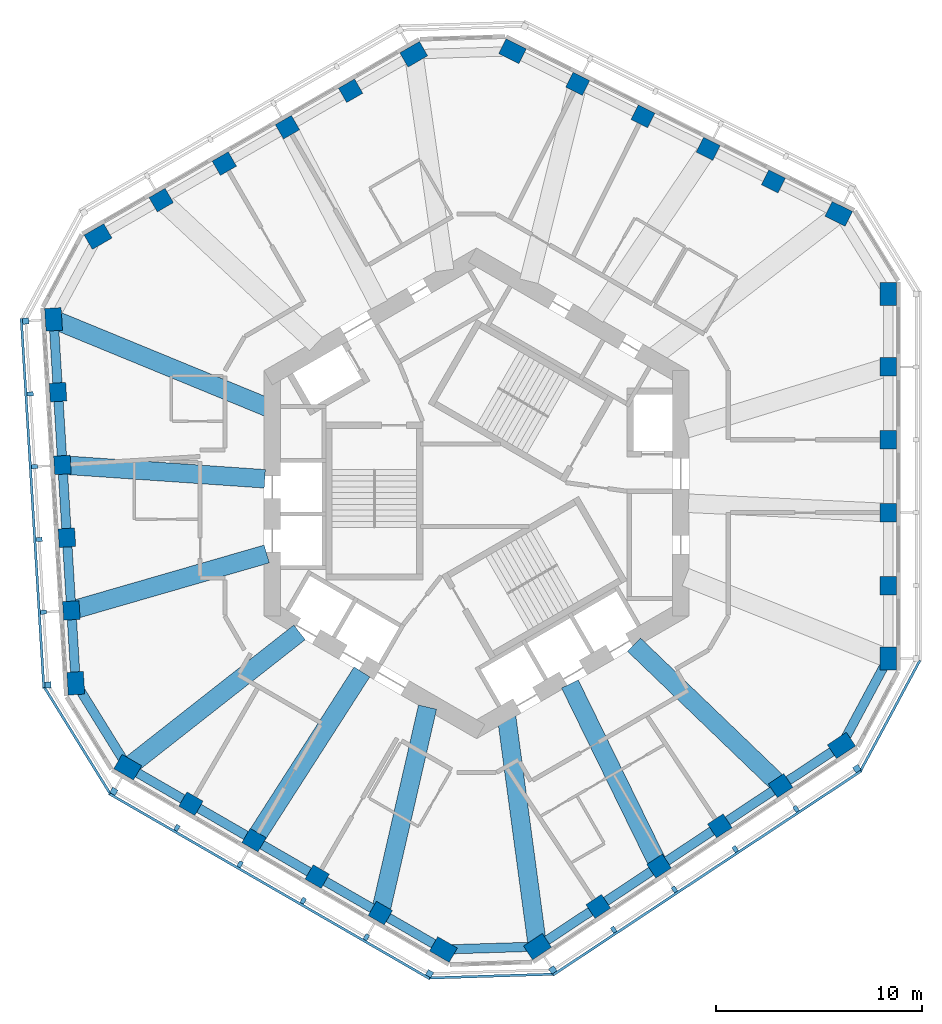
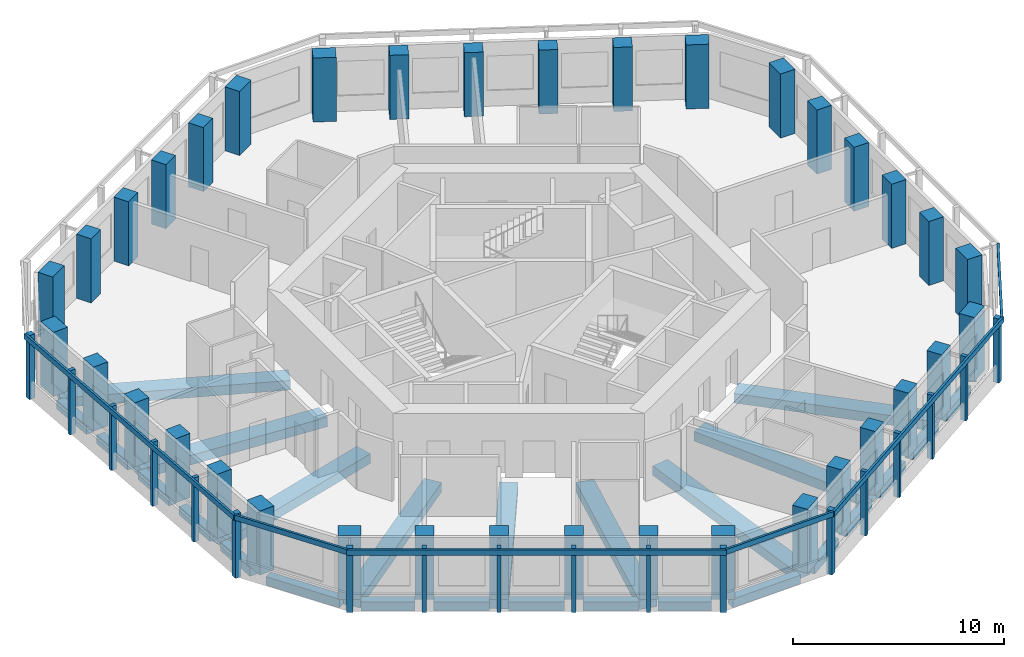
# One storey, part 1 of 11: 36 columns, 27 beams, 24 members, 6 elements without a shape of their own.
"""IFC4 building model written with IfcOpenShell, lengths in metres."""

from ifc_helpers import new_model, si_unit, direction, frame, origin, origin_2d, place, context, subcontext, project, spatial, rectangle, extrude, material, material_profile, profile_set, type_object, element, aggregate, save


model = new_model("IFC4")

# Units and contexts
model_context = context("Model", 3, precision=1e-05, world=origin(), true_north=direction((0.0, 1.0)))
body_context = subcontext(model_context, "Body", "Model", "MODEL_VIEW")
ifc_project = project(units=[si_unit("LENGTHUNIT", "METRE"), si_unit("AREAUNIT", "SQUARE_METRE"), si_unit("VOLUMEUNIT", "CUBIC_METRE"), si_unit("PLANEANGLEUNIT", "RADIAN"), si_unit("MASSUNIT", "GRAM", prefix="KILO")], contexts=[model_context])

# Site, building, storey
site_placement = place(None, origin())
site = spatial("IfcSite", under=ifc_project, at=site_placement, CompositionType="ELEMENT")
building_placement = place(site_placement, origin())
building = spatial("IfcBuilding", under=site, at=building_placement, Name="Vanh Sen Convention Tower", CompositionType="ELEMENT")
storey_placement = place(building_placement, frame((0.0, 0.0, 232.800048828125)))
storey = spatial("IfcBuildingStorey", under=building, at=storey_placement, Name="L57", CompositionType="ELEMENT", Elevation=232.800048828125)

# Columns
ifc_material_1 = material(Name="Concrete C60/75", Category="concrete")
ifc_material_profile_1 = material_profile(ifc_material_1, rectangle(XDim=0.89990234375, YDim=0.800048828125, at=origin_2d()), Name="RC 900X800")
ifc_profile_set_1 = profile_set([ifc_material_profile_1], Name="Concrete C60/75")
column_type_1 = type_object("IfcColumnType", Name="Facade column 900 x 800 C60/75", PredefinedType="COLUMN", material=ifc_profile_set_1)
for number, where, z_axis, x_axis, name in (
    (1, (19.949951171875, -4.46923828125, 0.0), (0.0, 0.0, 1.0), (0.0, 1.0, 0.0), "Facade column 02 L57"),
    (2, (19.949951171875, -0.935546875, 0.0), (0.0, 0.0, 1.0), (0.0, 1.0, 0.0), "Facade column 03 L57"),
    (3, (19.949951171875, 2.59814453125, 0.0), (0.0, 0.0, 1.0), (0.0, 1.0, 0.0), "Facade column 04 L57"),
    (4, (19.949951171875, 6.131591796875, 0.0), (0.0, 0.0, 1.0), (0.0, 1.0, 0.0), "Facade column 05 L57"),
    (5, (14.38916015625, 15.117919921875, 0.0), (0.0, 0.0, 1.0), (-0.894934361602, 0.44619781311, 0.0), "Facade column 08 L57"),
    (6, (11.226806640625, 16.694580078125, 0.0), (0.0, 0.0, 1.0), (-0.894934361602, 0.44619781311, 0.0), "Facade column 09 L57"),
    (7, (8.064453125, 18.271484375, 0.0), (0.0, 0.0, 1.0), (-0.894934361602, 0.44619781311, 0.0), "Facade column 10 L57"),
    (8, (4.902099609375, 19.84814453125, 0.0), (0.0, 0.0, 1.0), (-0.894934361602, 0.44619781311, 0.0), "Facade column 11 L57"),
    (9, (-6.1044921875, 19.51171875, 0.0), (0.0, 0.0, 1.0), (-0.866025403784, -0.5, 0.0), "Facade column 14 L57"),
    (10, (-9.164794921875, 17.7451171875, 0.0), (0.0, 0.0, 1.0), (-0.866025403784, -0.5, 0.0), "Facade column 15 L57"),
    (11, (-12.22509765625, 15.978271484375, 0.0), (0.0, 0.0, 1.0), (-0.866025403784, -0.5, 0.0), "Facade column 16 L57"),
    (12, (-15.28515625, 14.211181640625, 0.0), (0.0, 0.0, 1.0), (-0.866025403784, -0.5, 0.0), "Facade column 17 L57"),
    (13, (-20.287109375, 4.90234375, 0.0), (0.0, 0.0, 1.0), (0.061048539535, -0.998134798422, 0.0), "Facade column 20 L57"),
    (14, (-20.0712890625, 1.375244140625, 0.0), (0.0, 0.0, 1.0), (0.061048539535, -0.998134798422, 0.0), "Facade column 21 L57"),
    (15, (-19.855712890625, -2.151611328125, 0.0), (0.0, 0.0, 1.0), (0.061048539535, -0.998134798422, 0.0), "Facade column 22 L57"),
    (16, (-19.639892578125, -5.6787109375, 0.0), (0.0, 0.0, 1.0), (0.061048539535, -0.998134798422, 0.0), "Facade column 23 L57"),
    (17, (-13.845458984375, -15.04248046875, 0.0), (0.0, 0.0, 1.0), (0.866025403784, -0.5, 0.0), "Facade column 26 L57"),
    (18, (-10.78515625, -16.809326171875, 0.0), (0.0, 0.0, 1.0), (0.866025403784, -0.5, 0.0), "Facade column 27 L57"),
    (19, (-7.72509765625, -18.576416015625, 0.0), (0.0, 0.0, 1.0), (0.866025403784, -0.5, 0.0), "Facade column 28 L57"),
    (20, (-4.664794921875, -20.343017578125, 0.0), (0.0, 0.0, 1.0), (0.866025403784, -0.5, 0.0), "Facade column 29 L57"),
    (21, (5.89794921875, -20.0205078125, 0.0), (0.0, 0.0, 1.0), (0.833885822067, 0.551936985312, 0.0), "Facade column 32 L57"),
    (22, (8.844482421875, -18.070068359375, 0.0), (0.0, 0.0, 1.0), (0.833885822067, 0.551936985312, 0.0), "Facade column 33 L57"),
    (23, (11.791259765625, -16.11962890625, 0.0), (0.0, 0.0, 1.0), (0.833885822067, 0.551936985312, 0.0), "Facade column 34 L57"),
    (24, (14.73779296875, -14.169189453125, 0.0), (0.0, 0.0, 1.0), (0.833885822067, 0.551936985312, 0.0), "Facade column 35 L57"),
):
    element("IfcColumn", number, at=place(storey_placement, frame(where, z_axis=z_axis, x_axis=x_axis)), inside=storey, type_object=column_type_1, Name=name, PredefinedType="COLUMN", context=body_context, shape_type="SweptSolid", body=[
        extrude(rectangle(XDim=0.89990234375, YDim=0.800048828125, at=origin_2d()), origin(), (0.0, 0.0, 1.0), 3.699951171875),
    ])
ifc_material_profile_2 = material_profile(ifc_material_1, rectangle(XDim=1.10009765625, YDim=0.800048828125, at=origin_2d()), Name="RC 1100X800")
ifc_profile_set_2 = profile_set([ifc_material_profile_2], Name="Concrete C60/75")
column_type_2 = type_object("IfcColumnType", Name="Facade corner column 1100 x 800 C60/75", PredefinedType="COLUMN", material=ifc_profile_set_2)
for number, where, z_axis, x_axis, name in (
    (25, (19.949951171875, -8.002685546875, 0.0), (0.0, 0.0, 1.0), (0.0, 1.0, 0.0), "Facade column 01 L57"),
    (26, (19.949951171875, 9.665283203125, 0.0), (0.0, 0.0, 1.0), (0.0, 1.0, 0.0), "Facade column 06 L57"),
    (27, (17.551513671875, 13.541259765625, 0.0), (0.0, 0.0, 1.0), (-0.894934361602, 0.44619781311, 0.0), "Facade column 07 L57"),
    (28, (1.73974609375, 21.4248046875, 0.0), (0.0, 0.0, 1.0), (-0.894934361602, 0.44619781311, 0.0), "Facade column 12 L57"),
    (29, (-3.04443359375, 21.278564453125, 0.0), (0.0, 0.0, 1.0), (-0.866025403784, -0.5, 0.0), "Facade column 13 L57"),
    (30, (-18.345458984375, 12.444580078125, 0.0), (0.0, 0.0, 1.0), (-0.866025403784, -0.5, 0.0), "Facade column 18 L57"),
    (31, (-20.502685546875, 8.429443359375, 0.0), (0.0, 0.0, 1.0), (0.061048539535, -0.998134798422, 0.0), "Facade column 19 L57"),
    (32, (-19.42431640625, -9.205810546875, 0.0), (0.0, 0.0, 1.0), (0.061048539535, -0.998134798422, 0.0), "Facade column 24 L57"),
    (33, (-16.905517578125, -13.27587890625, 0.0), (0.0, 0.0, 1.0), (0.866025403784, -0.5, 0.0), "Facade column 25 L57"),
    (34, (-1.6044921875, -22.10986328125, 0.0), (0.0, 0.0, 1.0), (0.866025403784, -0.5, 0.0), "Facade column 30 L57"),
    (35, (2.951416015625, -21.970703125, 0.0), (0.0, 0.0, 1.0), (0.833885822067, 0.551936985312, 0.0), "Facade column 31 L57"),
    (36, (17.6845703125, -12.218994140625, 0.0), (0.0, 0.0, 1.0), (0.833885822067, 0.551936985312, 0.0), "Facade column 36 L57"),
):
    element("IfcColumn", number, at=place(storey_placement, frame(where, z_axis=z_axis, x_axis=x_axis)), inside=storey, type_object=column_type_2, Name=name, PredefinedType="COLUMN", context=body_context, shape_type="SweptSolid", body=[
        extrude(rectangle(XDim=1.10009765625, YDim=0.800048828125, at=origin_2d()), origin(), (0.0, 0.0, 1.0), 3.699951171875),
    ])

# Curtain wall, members
ifc_material_2 = material(Name="Concrete C50/60", Category="concrete")
curtain_wall_type = type_object("IfcCurtainWallType", Name="Outer skin office zone", PredefinedType="NOTDEFINED", material=ifc_material_2)
curtain_wall_1_placement = place(storey_placement, origin())
curtain_wall_1 = element("IfcCurtainWall", 37, at=curtain_wall_1_placement, inside=storey, type_object=curtain_wall_type, Name="OUTER SKIN W L57", PredefinedType="NOTDEFINED")
ifc_material_profile_3 = material_profile(ifc_material_2, rectangle(XDim=0.300048828125, YDim=0.300048828125, at=origin_2d()), Name="Outer skin precast corner fin 300 x 300")
ifc_profile_set_3 = profile_set([ifc_material_profile_3], Name="Concrete C50/60")
member_type_1 = type_object("IfcMemberType", Name="Outer skin precast corner fin 300 x 300", PredefinedType="MULLION", material=ifc_profile_set_3)
member_1_placement = place(storey_placement, frame((-21.850341796875, 8.346923828125, 0.0), z_axis=(0.0, 0.0, 1.0), x_axis=(0.061048539535, -0.998134798422, 0.0)))
member_1 = element("IfcMember", 38, at=member_1_placement, type_object=member_type_1, Name="OUTER SKIN CORNER FIN 1 W L57", PredefinedType="MULLION", context=body_context, shape_type="SweptSolid", body=[
    extrude(rectangle(XDim=0.300048828125, YDim=0.300048828125, at=origin_2d()), origin(), (0.0, 0.0, 1.0), 3.699951171875),
])
member_2_placement = place(storey_placement, frame((-20.771728515625, -9.2880859375, 0.0), z_axis=(0.0, 0.0, 1.0), x_axis=(0.061048539535, -0.998134798422, 0.0)))
member_2 = element("IfcMember", 39, at=member_2_placement, type_object=member_type_1, Name="OUTER SKIN CORNER FIN 6 W L57", PredefinedType="MULLION", context=body_context, shape_type="SweptSolid", body=[
    extrude(rectangle(XDim=0.300048828125, YDim=0.300048828125, at=origin_2d()), origin(), (0.0, 0.0, 1.0), 3.699951171875),
])

curtain_wall_2_placement = place(storey_placement, origin())
curtain_wall_2 = element("IfcCurtainWall", 40, at=curtain_wall_2_placement, inside=storey, type_object=curtain_wall_type, Name="OUTER SKIN SW L57", PredefinedType="NOTDEFINED")
member_3_placement = place(storey_placement, frame((-17.58056640625, -14.44482421875, 0.0), z_axis=(0.0, 0.0, 1.0), x_axis=(0.866025403784, -0.5, 0.0)))
member_3 = element("IfcMember", 41, at=member_3_placement, type_object=member_type_1, Name="OUTER SKIN CORNER FIN 1 SW L57", PredefinedType="MULLION", context=body_context, shape_type="SweptSolid", body=[
    extrude(rectangle(XDim=0.300048828125, YDim=0.300048828125, at=origin_2d()), origin(), (0.0, 0.0, 1.0), 3.699951171875),
])
member_4_placement = place(storey_placement, frame((-2.279541015625, -23.279052734375, 0.0), z_axis=(0.0, 0.0, 1.0), x_axis=(0.866025403784, -0.5, 0.0)))
member_4 = element("IfcMember", 42, at=member_4_placement, type_object=member_type_1, Name="OUTER SKIN CORNER FIN 6 SW L57", PredefinedType="MULLION", context=body_context, shape_type="SweptSolid", body=[
    extrude(rectangle(XDim=0.300048828125, YDim=0.300048828125, at=origin_2d()), origin(), (0.0, 0.0, 1.0), 3.699951171875),
])

curtain_wall_3_placement = place(storey_placement, origin())
curtain_wall_3 = element("IfcCurtainWall", 43, at=curtain_wall_3_placement, inside=storey, type_object=curtain_wall_type, Name="OUTER SKIN SE L57", PredefinedType="NOTDEFINED")
member_5_placement = place(storey_placement, frame((3.6962890625, -23.096435546875, 0.0), z_axis=(0.0, 0.0, 1.0), x_axis=(0.833885822067, 0.551936985312, 0.0)))
member_5 = element("IfcMember", 44, at=member_5_placement, type_object=member_type_1, Name="OUTER SKIN CORNER FIN 1 SE L57", PredefinedType="MULLION", context=body_context, shape_type="SweptSolid", body=[
    extrude(rectangle(XDim=0.300048828125, YDim=0.300048828125, at=origin_2d()), origin(), (0.0, 0.0, 1.0), 3.699951171875),
])
member_6_placement = place(storey_placement, frame((18.4296875, -13.3447265625, 0.0), z_axis=(0.0, 0.0, 1.0), x_axis=(0.833885822067, 0.551936985312, 0.0)))
member_6 = element("IfcMember", 45, at=member_6_placement, type_object=member_type_1, Name="OUTER SKIN CORNER FIN 6 SE L57", PredefinedType="MULLION", context=body_context, shape_type="SweptSolid", body=[
    extrude(rectangle(XDim=0.300048828125, YDim=0.300048828125, at=origin_2d()), origin(), (0.0, 0.0, 1.0), 3.699951171875),
])

# Member
ifc_material_profile_4 = material_profile(ifc_material_2, rectangle(XDim=0.199951171875, YDim=0.300048828125, at=origin_2d()), Name="Outer skin precast fin 200 x 300")
ifc_profile_set_4 = profile_set([ifc_material_profile_4], Name="Concrete C50/60")
member_type_2 = type_object("IfcMemberType", Name="Outer skin precast fin 200 x 300", PredefinedType="MULLION", material=ifc_profile_set_4)
member_7_placement = place(storey_placement, frame((-21.634521484375, 4.820068359375, 0.0), z_axis=(0.0, 0.0, 1.0), x_axis=(0.061048539535, -0.998134798422, 0.0)))
member_7 = element("IfcMember", 46, at=member_7_placement, type_object=member_type_2, Name="OUTER SKIN fin 2 W L57", PredefinedType="MULLION", context=body_context, shape_type="SweptSolid", body=[
    extrude(rectangle(XDim=0.199951171875, YDim=0.300048828125, at=origin_2d()), origin(), (0.0, 0.0, 1.0), 3.699951171875),
])

member_8_placement = place(storey_placement, frame((-21.4189453125, 1.29296875, 0.0), z_axis=(0.0, 0.0, 1.0), x_axis=(0.061048539535, -0.998134798422, 0.0)))
member_8 = element("IfcMember", 47, at=member_8_placement, type_object=member_type_2, Name="OUTER SKIN fin 3 W L57", PredefinedType="MULLION", context=body_context, shape_type="SweptSolid", body=[
    extrude(rectangle(XDim=0.199951171875, YDim=0.300048828125, at=origin_2d()), origin(), (0.0, 0.0, 1.0), 3.699951171875),
])

member_9_placement = place(storey_placement, frame((-21.203125, -2.234130859375, 0.0), z_axis=(0.0, 0.0, 1.0), x_axis=(0.061048539535, -0.998134798422, 0.0)))
member_9 = element("IfcMember", 48, at=member_9_placement, type_object=member_type_2, Name="OUTER SKIN fin 4 W L57", PredefinedType="MULLION", context=body_context, shape_type="SweptSolid", body=[
    extrude(rectangle(XDim=0.199951171875, YDim=0.300048828125, at=origin_2d()), origin(), (0.0, 0.0, 1.0), 3.699951171875),
])

member_10_placement = place(storey_placement, frame((-20.987548828125, -5.760986328125, 0.0), z_axis=(0.0, 0.0, 1.0), x_axis=(0.061048539535, -0.998134798422, 0.0)))
member_10 = element("IfcMember", 49, at=member_10_placement, type_object=member_type_2, Name="OUTER SKIN fin 5 W L57", PredefinedType="MULLION", context=body_context, shape_type="SweptSolid", body=[
    extrude(rectangle(XDim=0.199951171875, YDim=0.300048828125, at=origin_2d()), origin(), (0.0, 0.0, 1.0), 3.699951171875),
])

member_11_placement = place(storey_placement, frame((-14.5205078125, -16.211669921875, 0.0), z_axis=(0.0, 0.0, 1.0), x_axis=(0.866025403784, -0.5, 0.0)))
member_11 = element("IfcMember", 50, at=member_11_placement, type_object=member_type_2, Name="OUTER SKIN fin 2 SW L57", PredefinedType="MULLION", context=body_context, shape_type="SweptSolid", body=[
    extrude(rectangle(XDim=0.199951171875, YDim=0.300048828125, at=origin_2d()), origin(), (0.0, 0.0, 1.0), 3.699951171875),
])

member_12_placement = place(storey_placement, frame((-11.460205078125, -17.978515625, 0.0), z_axis=(0.0, 0.0, 1.0), x_axis=(0.866025403784, -0.5, 0.0)))
member_12 = element("IfcMember", 51, at=member_12_placement, type_object=member_type_2, Name="OUTER SKIN fin 3 SW L57", PredefinedType="MULLION", context=body_context, shape_type="SweptSolid", body=[
    extrude(rectangle(XDim=0.199951171875, YDim=0.300048828125, at=origin_2d()), origin(), (0.0, 0.0, 1.0), 3.699951171875),
])

member_13_placement = place(storey_placement, frame((-8.39990234375, -19.745361328125, 0.0), z_axis=(0.0, 0.0, 1.0), x_axis=(0.866025403784, -0.5, 0.0)))
member_13 = element("IfcMember", 52, at=member_13_placement, type_object=member_type_2, Name="OUTER SKIN fin 4 SW L57", PredefinedType="MULLION", context=body_context, shape_type="SweptSolid", body=[
    extrude(rectangle(XDim=0.199951171875, YDim=0.300048828125, at=origin_2d()), origin(), (0.0, 0.0, 1.0), 3.699951171875),
])

member_14_placement = place(storey_placement, frame((-5.33984375, -21.51220703125, 0.0), z_axis=(0.0, 0.0, 1.0), x_axis=(0.866025403784, -0.5, 0.0)))
member_14 = element("IfcMember", 53, at=member_14_placement, type_object=member_type_2, Name="OUTER SKIN fin 5 SW L57", PredefinedType="MULLION", context=body_context, shape_type="SweptSolid", body=[
    extrude(rectangle(XDim=0.199951171875, YDim=0.300048828125, at=origin_2d()), origin(), (0.0, 0.0, 1.0), 3.699951171875),
])

member_15_placement = place(storey_placement, frame((6.64306640625, -21.14599609375, 0.0), z_axis=(0.0, 0.0, 1.0), x_axis=(0.833885822067, 0.551936985312, 0.0)))
member_15 = element("IfcMember", 54, at=member_15_placement, type_object=member_type_2, Name="OUTER SKIN fin 2 SE L57", PredefinedType="MULLION", context=body_context, shape_type="SweptSolid", body=[
    extrude(rectangle(XDim=0.199951171875, YDim=0.300048828125, at=origin_2d()), origin(), (0.0, 0.0, 1.0), 3.699951171875),
])

member_16_placement = place(storey_placement, frame((9.589599609375, -19.19580078125, 0.0), z_axis=(0.0, 0.0, 1.0), x_axis=(0.833885822067, 0.551936985312, 0.0)))
member_16 = element("IfcMember", 55, at=member_16_placement, type_object=member_type_2, Name="OUTER SKIN fin 3 SE L57", PredefinedType="MULLION", context=body_context, shape_type="SweptSolid", body=[
    extrude(rectangle(XDim=0.199951171875, YDim=0.300048828125, at=origin_2d()), origin(), (0.0, 0.0, 1.0), 3.699951171875),
])

member_17_placement = place(storey_placement, frame((12.536376953125, -17.245361328125, 0.0), z_axis=(0.0, 0.0, 1.0), x_axis=(0.833885822067, 0.551936985312, 0.0)))
member_17 = element("IfcMember", 56, at=member_17_placement, type_object=member_type_2, Name="OUTER SKIN fin 4 SE L57", PredefinedType="MULLION", context=body_context, shape_type="SweptSolid", body=[
    extrude(rectangle(XDim=0.199951171875, YDim=0.300048828125, at=origin_2d()), origin(), (0.0, 0.0, 1.0), 3.699951171875),
])

member_18_placement = place(storey_placement, frame((15.48291015625, -15.294921875, 0.0), z_axis=(0.0, 0.0, 1.0), x_axis=(0.833885822067, 0.551936985312, 0.0)))
member_18 = element("IfcMember", 57, at=member_18_placement, type_object=member_type_2, Name="OUTER SKIN fin 5 SE L57", PredefinedType="MULLION", context=body_context, shape_type="SweptSolid", body=[
    extrude(rectangle(XDim=0.199951171875, YDim=0.300048828125, at=origin_2d()), origin(), (0.0, 0.0, 1.0), 3.699951171875),
])

ifc_material_profile_5 = material_profile(ifc_material_2, rectangle(XDim=0.1201171875, YDim=0.300048828125, at=origin_2d()), Name="Outer skin precast spandrel band 300 x 120")
ifc_profile_set_5 = profile_set([ifc_material_profile_5], Name="Concrete C50/60")
member_type_3 = type_object("IfcMemberType", Name="Outer skin precast spandrel band 300 x 120", PredefinedType="USERDEFINED", material=ifc_profile_set_5)
member_19_placement = place(storey_placement, frame((-22.069091796875, 8.48388671875, 3.550048828125), z_axis=(0.061048457282, -0.998134803453, 0.0), x_axis=(0.998134803453, 0.061048457282, 0.0)))
member_19 = element("IfcMember", 58, at=member_19_placement, type_object=member_type_3, Name="OUTER SKIN spandrel band W L57", ObjectType="TRANSOM", PredefinedType="USERDEFINED", context=body_context, shape_type="SweptSolid", body=[
    extrude(rectangle(XDim=0.1201171875, YDim=0.300048828125, at=origin_2d()), origin(), (0.0, 0.0, 1.0), 17.968017578125),
])

aggregate(curtain_wall_1, [member_1, member_7, member_8, member_9, member_10, member_2, member_19])

# Curtain wall, member
curtain_wall_4_placement = place(storey_placement, origin())
curtain_wall_4 = element("IfcCurtainWall", 59, at=curtain_wall_4_placement, inside=storey, type_object=curtain_wall_type, Name="OUTER SKIN CH4 L57", PredefinedType="NOTDEFINED")
member_20_placement = place(storey_placement, frame((-20.9501953125, -9.398681640625, 3.550048828125), z_axis=(0.526193830542, -0.850364658661, 0.0), x_axis=(0.850364658661, 0.526193830542, 0.0)))
member_20 = element("IfcMember", 60, at=member_20_placement, type_object=member_type_3, Name="OUTER SKIN spandrel band CH4 L57", ObjectType="TRANSOM", PredefinedType="USERDEFINED", context=body_context, shape_type="SweptSolid", body=[
    extrude(rectangle(XDim=0.1201171875, YDim=0.300048828125, at=origin_2d()), origin(), (0.0, 0.0, 1.0), 6.064208984375),
])
aggregate(curtain_wall_4, [member_20])

# Member
member_21_placement = place(storey_placement, frame((-17.8154296875, -14.5517578125, 3.550048828125), z_axis=(0.866022898019, -0.500004340088, 0.0), x_axis=(0.500004340088, 0.866022898019, 0.0)))
member_21 = element("IfcMember", 61, at=member_21_placement, type_object=member_type_3, Name="OUTER SKIN spandrel band SW L57", ObjectType="TRANSOM", PredefinedType="USERDEFINED", context=body_context, shape_type="SweptSolid", body=[
    extrude(rectangle(XDim=0.1201171875, YDim=0.300048828125, at=origin_2d()), origin(), (0.0, 0.0, 1.0), 17.968017578125),
])

aggregate(curtain_wall_2, [member_3, member_11, member_12, member_13, member_14, member_4, member_21])

# Curtain wall, member
curtain_wall_5_placement = place(storey_placement, origin())
curtain_wall_5 = element("IfcCurtainWall", 62, at=curtain_wall_5_placement, inside=storey, type_object=curtain_wall_type, Name="OUTER SKIN CH5 L57", PredefinedType="NOTDEFINED")
member_22_placement = place(storey_placement, frame((-2.273193359375, -23.489013671875, 3.550048828125), z_axis=(0.99953342946, 0.030543794642, 0.0), x_axis=(-0.030543794642, 0.99953342946, 0.0)))
member_22 = element("IfcMember", 63, at=member_22_placement, type_object=member_type_3, Name="OUTER SKIN spandrel band CH5 L57", ObjectType="TRANSOM", PredefinedType="USERDEFINED", context=body_context, shape_type="SweptSolid", body=[
    extrude(rectangle(XDim=0.1201171875, YDim=0.300048828125, at=origin_2d()), origin(), (0.0, 0.0, 1.0), 5.978759765625),
])
aggregate(curtain_wall_5, [member_22])

# Member
member_23_placement = place(storey_placement, frame((3.687255859375, -23.3544921875, 3.550048828125), z_axis=(0.83388107344, 0.551944159638, 0.0), x_axis=(-0.551944159638, 0.83388107344, 0.0)))
member_23 = element("IfcMember", 64, at=member_23_placement, type_object=member_type_3, Name="OUTER SKIN spandrel band SE L57", ObjectType="TRANSOM", PredefinedType="USERDEFINED", context=body_context, shape_type="SweptSolid", body=[
    extrude(rectangle(XDim=0.1201171875, YDim=0.300048828125, at=origin_2d()), origin(), (0.0, 0.0, 1.0), 17.96826171875),
])

aggregate(curtain_wall_3, [member_5, member_15, member_16, member_17, member_18, member_6, member_23])

# Curtain wall, member
curtain_wall_6_placement = place(storey_placement, origin())
curtain_wall_6 = element("IfcCurtainWall", 65, at=curtain_wall_6_placement, inside=storey, type_object=curtain_wall_type, Name="OUTER SKIN CH6 L57", PredefinedType="NOTDEFINED")
member_24_placement = place(storey_placement, frame((18.61474609375, -13.444091796875, 3.550048828125), z_axis=(0.473333785199, 0.880883152177, 0.0), x_axis=(-0.880883152177, 0.473333785199, 0.0)))
member_24 = element("IfcMember", 66, at=member_24_placement, type_object=member_type_3, Name="OUTER SKIN spandrel band CH6 L57", ObjectType="TRANSOM", PredefinedType="USERDEFINED", context=body_context, shape_type="SweptSolid", body=[
    extrude(rectangle(XDim=0.1201171875, YDim=0.300048828125, at=origin_2d()), origin(), (0.0, 0.0, 1.0), 6.064208984375),
])
aggregate(curtain_wall_6, [member_24])

# Beams
ifc_material_3 = material(Name="Concrete C50/60", Category="concrete")
ifc_material_profile_6 = material_profile(ifc_material_3, rectangle(XDim=0.89990234375, YDim=0.550048828125, at=origin_2d()), Name="RC 900X550")
ifc_profile_set_6 = profile_set([ifc_material_profile_6], Name="Concrete C50/60")
beam_type_1 = type_object("IfcBeamType", Name="Radial floor beam 900 x 550", PredefinedType="BEAM", material=ifc_profile_set_6)
beam_1_placement = place(storey_placement, frame((-20.298095703125, 8.34521484375, -0.554931640625), z_axis=(0.924881589255, -0.380255237778, 0.0), x_axis=(0.380255237778, 0.924881589255, 0.0)))
element("IfcBeam", 67, at=beam_1_placement, inside=storey, type_object=beam_type_1, Name="Radial beam 10 L57", PredefinedType="BEAM", context=body_context, shape_type="SweptSolid", body=[
    extrude(rectangle(XDim=0.89990234375, YDim=0.550048828125, at=origin_2d()), origin(), (0.0, 0.0, 1.0), 11.000244140625),
])
beam_2_placement = place(storey_placement, frame((-20.04736328125, 1.373779296875, -0.554931640625), z_axis=(0.997660286065, -0.068366319264, 0.0), x_axis=(0.068366319264, 0.997660286065, 0.0)))
element("IfcBeam", 68, at=beam_2_placement, inside=storey, type_object=beam_type_1, Name="Radial beam 11 L57", PredefinedType="BEAM", context=body_context, shape_type="SweptSolid", body=[
    extrude(rectangle(XDim=0.89990234375, YDim=0.550048828125, at=origin_2d()), origin(), (0.0, 0.0, 1.0), 9.80615234375),
])
beam_3_placement = place(storey_placement, frame((-19.596923828125, -5.666259765625, -0.554931640625), z_axis=(0.960651653267, 0.277756009973, 0.0), x_axis=(-0.277756009973, 0.960651653267, 0.0)))
element("IfcBeam", 69, at=beam_3_placement, inside=storey, type_object=beam_type_1, Name="Radial beam 12 L57", PredefinedType="BEAM", context=body_context, shape_type="SweptSolid", body=[
    extrude(rectangle(XDim=0.89990234375, YDim=0.550048828125, at=origin_2d()), origin(), (0.0, 0.0, 1.0), 9.81298828125),
])
beam_4_placement = place(storey_placement, frame((-16.71240234375, -13.124267578125, -0.554931640625), z_axis=(0.786468287058, 0.617630661036, 0.0), x_axis=(-0.617630661036, 0.786468287058, 0.0)))
element("IfcBeam", 70, at=beam_4_placement, inside=storey, type_object=beam_type_1, Name="Radial beam 13 L57", PredefinedType="BEAM", context=body_context, shape_type="SweptSolid", body=[
    extrude(rectangle(XDim=0.89990234375, YDim=0.550048828125, at=origin_2d()), origin(), (0.0, 0.0, 1.0), 10.33740234375),
])
beam_5_placement = place(storey_placement, frame((-10.7822265625, -16.804931640625, -0.554931640625), z_axis=(0.540007952094, 0.841659914499, 0.0), x_axis=(-0.841659914499, 0.540007952094, 0.0)))
element("IfcBeam", 71, at=beam_5_placement, inside=storey, type_object=beam_type_1, Name="Radial beam 14 L57", PredefinedType="BEAM", context=body_context, shape_type="SweptSolid", body=[
    extrude(rectangle(XDim=0.89990234375, YDim=0.550048828125, at=origin_2d()), origin(), (0.0, 0.0, 1.0), 9.681396484375),
])
beam_6_placement = place(storey_placement, frame((-4.65087890625, -20.281982421875, -0.554931640625), z_axis=(0.223504847776, 0.974702817797, 0.0), x_axis=(-0.974702817797, 0.223504847776, 0.0)))
element("IfcBeam", 72, at=beam_6_placement, inside=storey, type_object=beam_type_1, Name="Radial beam 15 L57", PredefinedType="BEAM", context=body_context, shape_type="SweptSolid", body=[
    extrude(rectangle(XDim=0.89990234375, YDim=0.550048828125, at=origin_2d()), origin(), (0.0, 0.0, 1.0), 10.176025390625),
])
beam_7_placement = place(storey_placement, frame((2.921875, -21.751220703125, -0.554931640625), z_axis=(-0.133144963531, 0.991096573844, 0.0), x_axis=(-0.991096573844, -0.133144963531, 0.0)))
element("IfcBeam", 73, at=beam_7_placement, inside=storey, type_object=beam_type_1, Name="Radial beam 16 L57", PredefinedType="BEAM", context=body_context, shape_type="SweptSolid", body=[
    extrude(rectangle(XDim=0.89990234375, YDim=0.550048828125, at=origin_2d()), origin(), (0.0, 0.0, 1.0), 11.0),
])
beam_8_placement = place(storey_placement, frame((8.833984375, -18.04833984375, -0.554931640625), z_axis=(-0.439628935164, 0.898179491731, 0.0), x_axis=(-0.898179491731, -0.439628935164, 0.0)))
element("IfcBeam", 74, at=beam_8_placement, inside=storey, type_object=beam_type_1, Name="Radial beam 17 L57", PredefinedType="BEAM", context=body_context, shape_type="SweptSolid", body=[
    extrude(rectangle(XDim=0.89990234375, YDim=0.550048828125, at=origin_2d()), origin(), (0.0, 0.0, 1.0), 9.80615234375),
])
beam_9_placement = place(storey_placement, frame((14.70556640625, -14.13818359375, -0.554931640625), z_axis=(-0.720878004506, 0.693061976031, 0.0), x_axis=(-0.693061976031, -0.720878004506, 0.0)))
element("IfcBeam", 75, at=beam_9_placement, inside=storey, type_object=beam_type_1, Name="Radial beam 18 L57", PredefinedType="BEAM", context=body_context, shape_type="SweptSolid", body=[
    extrude(rectangle(XDim=0.89990234375, YDim=0.550048828125, at=origin_2d()), origin(), (0.0, 0.0, 1.0), 9.812744140625),
])
ifc_material_profile_7 = material_profile(ifc_material_3, rectangle(XDim=0.449951171875, YDim=0.5, at=origin_2d()), Name="RC 450X500")
ifc_profile_set_7 = profile_set([ifc_material_profile_7], Name="Concrete C50/60")
beam_type_2 = type_object("IfcBeamType", Name="Spandrel beam 450 x 500", PredefinedType="SPANDREL", material=ifc_profile_set_7)
beam_10_placement = place(storey_placement, frame((-20.469482421875, 7.885498046875, -0.530029296875), z_axis=(0.061039814536, -0.998135332027, 0.0), x_axis=(0.998135332027, 0.061039814536, 0.0)))
element("IfcBeam", 76, at=beam_10_placement, inside=storey, type_object=beam_type_2, Name="Spandrel beam 19 L57", PredefinedType="SPANDREL", context=body_context, shape_type="SweptSolid", body=[
    extrude(rectangle(XDim=0.449951171875, YDim=0.5, at=origin_2d()), origin(), (0.0, 0.0, 1.0), 2.543701171875),
])
beam_11_placement = place(storey_placement, frame((-20.260009765625, 4.458251953125, -0.530029296875), z_axis=(0.061038717625, -0.998135399107, 0.0), x_axis=(0.998135399107, 0.061038717625, 0.0)))
element("IfcBeam", 77, at=beam_11_placement, inside=storey, type_object=beam_type_2, Name="Spandrel beam 20 L57", PredefinedType="SPANDREL", context=body_context, shape_type="SweptSolid", body=[
    extrude(rectangle(XDim=0.449951171875, YDim=0.5, at=origin_2d()), origin(), (0.0, 0.0, 1.0), 2.643798828125),
])
beam_12_placement = place(storey_placement, frame((-20.044189453125, 0.93115234375, -0.530029296875), z_axis=(0.061044344131, -0.998135055015, 0.0), x_axis=(0.998135055015, 0.061044344131, 0.0)))
element("IfcBeam", 78, at=beam_12_placement, inside=storey, type_object=beam_type_2, Name="Spandrel beam 21 L57", PredefinedType="SPANDREL", context=body_context, shape_type="SweptSolid", body=[
    extrude(rectangle(XDim=0.449951171875, YDim=0.5, at=origin_2d()), origin(), (0.0, 0.0, 1.0), 2.6435546875),
])
beam_13_placement = place(storey_placement, frame((-19.82861328125, -2.595703125, -0.530029296875), z_axis=(0.061038717625, -0.998135399107, 0.0), x_axis=(0.998135399107, 0.061038717625, 0.0)))
element("IfcBeam", 79, at=beam_13_placement, inside=storey, type_object=beam_type_2, Name="Spandrel beam 22 L57", PredefinedType="SPANDREL", context=body_context, shape_type="SweptSolid", body=[
    extrude(rectangle(XDim=0.449951171875, YDim=0.5, at=origin_2d()), origin(), (0.0, 0.0, 1.0), 2.643798828125),
])
beam_14_placement = place(storey_placement, frame((-19.61279296875, -6.122802734375, -0.530029296875), z_axis=(0.061039814536, -0.998135332027, 0.0), x_axis=(0.998135332027, 0.061039814536, 0.0)))
element("IfcBeam", 80, at=beam_14_placement, inside=storey, type_object=beam_type_2, Name="Spandrel beam 23 L57", PredefinedType="SPANDREL", context=body_context, shape_type="SweptSolid", body=[
    extrude(rectangle(XDim=0.449951171875, YDim=0.5, at=origin_2d()), origin(), (0.0, 0.0, 1.0), 2.543701171875),
])
beam_15_placement = place(storey_placement, frame((-19.202392578125, -9.564208984375, -0.530029296875), z_axis=(0.52623738605, -0.850337705576, 0.0), x_axis=(0.850337705576, 0.52623738605, 0.0)))
element("IfcBeam", 81, at=beam_15_placement, inside=storey, type_object=beam_type_2, Name="Spandrel beam 24 L57", PredefinedType="SPANDREL", context=body_context, shape_type="SweptSolid", body=[
    extrude(rectangle(XDim=0.449951171875, YDim=0.5, at=origin_2d()), origin(), (0.0, 0.0, 1.0), 3.943359375),
])
beam_16_placement = place(storey_placement, frame((-16.43359375, -13.54833984375, -0.530029296875), z_axis=(0.866043336059, -0.499968939103, 0.0), x_axis=(0.499968939103, 0.866043336059, 0.0)))
element("IfcBeam", 82, at=beam_16_placement, inside=storey, type_object=beam_type_2, Name="Spandrel beam 25 L57", PredefinedType="SPANDREL", context=body_context, shape_type="SweptSolid", body=[
    extrude(rectangle(XDim=0.449951171875, YDim=0.5, at=origin_2d()), origin(), (0.0, 0.0, 1.0), 2.543701171875),
])
beam_17_placement = place(storey_placement, frame((-13.4599609375, -15.26513671875, -0.530029296875), z_axis=(0.866017944311, -0.500012919964, 0.0), x_axis=(0.500012919964, 0.866017944311, 0.0)))
element("IfcBeam", 83, at=beam_17_placement, inside=storey, type_object=beam_type_2, Name="Spandrel beam 26 L57", PredefinedType="SPANDREL", context=body_context, shape_type="SweptSolid", body=[
    extrude(rectangle(XDim=0.449951171875, YDim=0.5, at=origin_2d()), origin(), (0.0, 0.0, 1.0), 2.6435546875),
])
beam_18_placement = place(storey_placement, frame((-10.39990234375, -17.031982421875, -0.530029296875), z_axis=(0.866041031621, -0.499972930816, 0.0), x_axis=(0.499972930816, 0.866041031621, 0.0)))
element("IfcBeam", 84, at=beam_18_placement, inside=storey, type_object=beam_type_2, Name="Spandrel beam 27 L57", PredefinedType="SPANDREL", context=body_context, shape_type="SweptSolid", body=[
    extrude(rectangle(XDim=0.449951171875, YDim=0.5, at=origin_2d()), origin(), (0.0, 0.0, 1.0), 2.643798828125),
])
beam_19_placement = place(storey_placement, frame((-7.339599609375, -18.798828125, -0.530029296875), z_axis=(0.866017944311, -0.500012919964, 0.0), x_axis=(0.500012919964, 0.866017944311, 0.0)))
element("IfcBeam", 85, at=beam_19_placement, inside=storey, type_object=beam_type_2, Name="Spandrel beam 28 L57", PredefinedType="SPANDREL", context=body_context, shape_type="SweptSolid", body=[
    extrude(rectangle(XDim=0.449951171875, YDim=0.5, at=origin_2d()), origin(), (0.0, 0.0, 1.0), 2.6435546875),
])
beam_20_placement = place(storey_placement, frame((-4.279296875, -20.565673828125, -0.530029296875), z_axis=(0.866043336059, -0.499968939103, 0.0), x_axis=(0.499968939103, 0.866043336059, 0.0)))
element("IfcBeam", 86, at=beam_20_placement, inside=storey, type_object=beam_type_2, Name="Spandrel beam 29 L57", PredefinedType="SPANDREL", context=body_context, shape_type="SweptSolid", body=[
    extrude(rectangle(XDim=0.449951171875, YDim=0.5, at=origin_2d()), origin(), (0.0, 0.0, 1.0), 2.543701171875),
])
beam_21_placement = place(storey_placement, frame((-1.213134765625, -22.097900390625, -0.530029296875), z_axis=(0.999533911408, 0.030528019036, 0.0), x_axis=(-0.030528019036, 0.999533911408, 0.0)))
element("IfcBeam", 87, at=beam_21_placement, inside=storey, type_object=beam_type_2, Name="Spandrel beam 30 L57", PredefinedType="SPANDREL", context=body_context, shape_type="SweptSolid", body=[
    extrude(rectangle(XDim=0.449951171875, YDim=0.5, at=origin_2d()), origin(), (0.0, 0.0, 1.0), 3.774658203125),
])
beam_22_placement = place(storey_placement, frame((3.40576171875, -21.669921875, -0.530029296875), z_axis=(0.833906220349, 0.551906165632, 0.0), x_axis=(-0.551906165632, 0.833906220349, 0.0)))
element("IfcBeam", 88, at=beam_22_placement, inside=storey, type_object=beam_type_2, Name="Spandrel beam 31 L57", PredefinedType="SPANDREL", context=body_context, shape_type="SweptSolid", body=[
    extrude(rectangle(XDim=0.449951171875, YDim=0.5, at=origin_2d()), origin(), (0.0, 0.0, 1.0), 2.54345703125),
])
for number, where, z_axis, x_axis, name in (
    (89, (6.26904296875, -19.77490234375, -0.530029296875), (0.833850316908, 0.551990624007, 0.0), (-0.551990624007, 0.833850316908, 0.0), "Spandrel beam 32 L57"),
    (90, (9.2158203125, -17.824462890625, -0.530029296875), (0.833850316908, 0.551990624007, 0.0), (-0.551990624007, 0.833850316908, 0.0), "Spandrel beam 33 L57"),
    (91, (12.162353515625, -15.8740234375, -0.530029296875), (0.833850316908, 0.551990624007, 0.0), (-0.551990624007, 0.833850316908, 0.0), "Spandrel beam 34 L57"),
):
    element("IfcBeam", number, at=place(storey_placement, frame(where, z_axis=z_axis, x_axis=x_axis)), inside=storey, type_object=beam_type_2, Name=name, PredefinedType="SPANDREL", context=body_context, shape_type="SweptSolid", body=[
        extrude(rectangle(XDim=0.449951171875, YDim=0.5, at=origin_2d()), origin(), (0.0, 0.0, 1.0), 2.6435546875),
    ])
beam_23_placement = place(storey_placement, frame((15.10888671875, -13.923583984375, -0.530029296875), z_axis=(0.833906220349, 0.551906165632, 0.0), x_axis=(-0.551906165632, 0.833906220349, 0.0)))
element("IfcBeam", 92, at=beam_23_placement, inside=storey, type_object=beam_type_2, Name="Spandrel beam 35 L57", PredefinedType="SPANDREL", context=body_context, shape_type="SweptSolid", body=[
    extrude(rectangle(XDim=0.449951171875, YDim=0.5, at=origin_2d()), origin(), (0.0, 0.0, 1.0), 2.54345703125),
])
beam_24_placement = place(storey_placement, frame((17.884033203125, -11.847900390625, -0.530029296875), z_axis=(0.473294807117, 0.880904095549, 0.0), x_axis=(-0.880904095549, 0.473294807117, 0.0)))
element("IfcBeam", 93, at=beam_24_placement, inside=storey, type_object=beam_type_2, Name="Spandrel beam 36 L57", PredefinedType="SPANDREL", context=body_context, shape_type="SweptSolid", body=[
    extrude(rectangle(XDim=0.449951171875, YDim=0.5, at=origin_2d()), origin(), (0.0, 0.0, 1.0), 3.943603515625),
])

save(model, "model.ifc")
